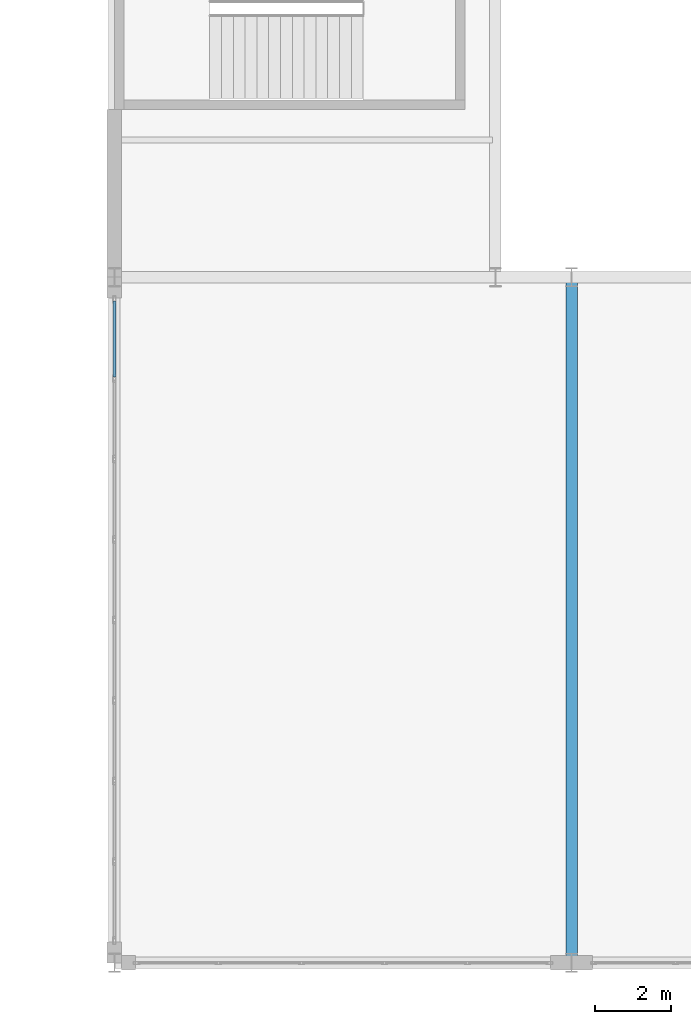
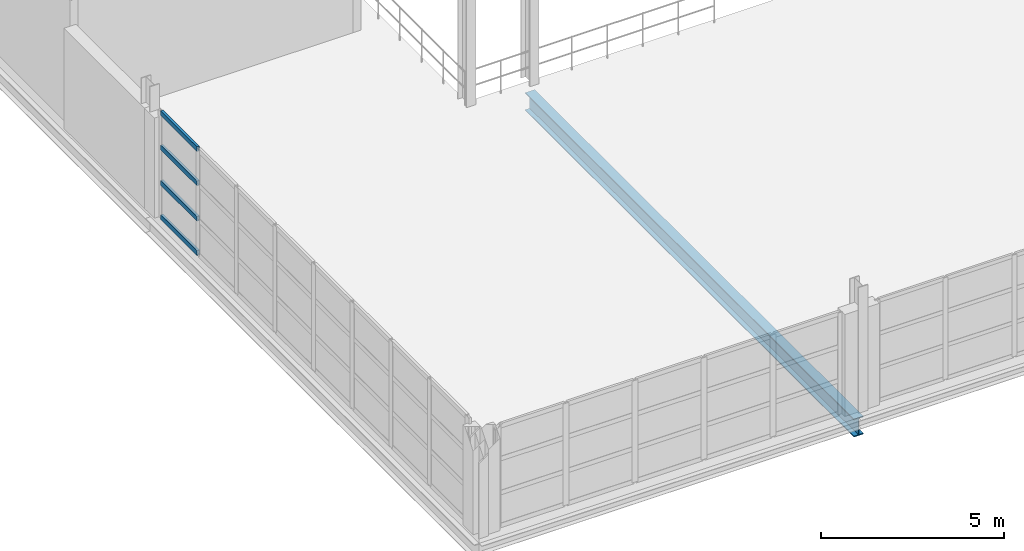
# One storey, part 26 of 158: 4 members, 1 beam, 1 element without a shape of its own.
"""IFC4 building model written with IfcOpenShell, lengths in metres."""

from ifc_helpers import new_model, si_unit, direction, frame, origin, origin_2d, place, context, subcontext, project, spatial, hollow_rectangle, i_section, extrude, material, layer, layer_set, material_profile, profile_set, type_object, element, aggregate, save


model = new_model("IFC4")

# Units and contexts
model_context = context("Model", 3, precision=1e-05, world=origin(), true_north=direction((0.0, 1.0)))
body_context = subcontext(model_context, "Body", "Model", "MODEL_VIEW")
ifc_project = project(units=[si_unit("LENGTHUNIT", "METRE"), si_unit("AREAUNIT", "SQUARE_METRE"), si_unit("VOLUMEUNIT", "CUBIC_METRE"), si_unit("PLANEANGLEUNIT", "RADIAN"), si_unit("MASSUNIT", "GRAM", prefix="KILO")], contexts=[model_context])

# Site, building, storey
site_placement = place(None, origin())
site = spatial("IfcSite", under=ifc_project, at=site_placement, CompositionType="ELEMENT")
building_placement = place(site_placement, origin())
building = spatial("IfcBuilding", under=site, at=building_placement, Name="Zilviju Railside Exhibition Hall", CompositionType="ELEMENT")
storey_placement = place(building_placement, frame((0.0, 0.0, 4.199951171875)))
storey = spatial("IfcBuildingStorey", under=building, at=storey_placement, Name="L02", CompositionType="ELEMENT", Elevation=4.199951171875)

# Beam
ifc_material_1 = material(Name="Steel S355J2", Category="steel")
ifc_material_profile_1 = material_profile(ifc_material_1, i_section(OverallWidth=0.300048828125, OverallDepth=0.60009765625, WebThickness=0.015380859375, FlangeThickness=0.030029296875, at=origin_2d()), Name="HEB 600")
ifc_profile_set_1 = profile_set([ifc_material_profile_1], Name="Steel S355J2")
beam_type = type_object("IfcBeamType", Name="BM-HEB600", PredefinedType="BEAM", material=ifc_profile_set_1)
beam_placement = place(storey_placement, frame((60.0, 0.0, -0.64990234375), z_axis=(0.0, 1.0, 0.0), x_axis=(-1.0, 0.0, 0.0)))
element("IfcBeam", 1, at=beam_placement, inside=storey, type_object=beam_type, Name="Transverse Girder L02 X=60.0 (0.0..18.0)", PredefinedType="BEAM", context=body_context, shape_type="SweptSolid", body=[
    extrude(i_section(OverallWidth=0.300048828125, OverallDepth=0.60009765625, WebThickness=0.015380859375, FlangeThickness=0.030029296875, at=origin_2d()), origin(), (0.0, 0.0, 1.0), 18.0),
])

# Curtain wall, members
ifc_material_2 = material(Name="Thermally broken aluminium-steel triple-glazed curtain wall", Category="steel")
ifc_layer = layer(ifc_material_2, 0.179931640625)
ifc_layer_set = layer_set([ifc_layer], Name="Thermally broken aluminium-steel triple-glazed curtain wall")
curtain_wall_type = type_object("IfcCurtainWallType", Name="CW-BAY-14", PredefinedType="USERDEFINED", material=ifc_layer_set)
curtain_wall_placement = place(storey_placement, origin())
curtain_wall = element("IfcCurtainWall", 2, at=curtain_wall_placement, inside=storey, type_object=curtain_wall_type, Name="Winter Concourse Forecourt Curtain Wall L02", ObjectType="GLAZED CURTAIN WALL", PredefinedType="USERDEFINED")
ifc_material_3 = material(Name="Thermally broken anodized aluminium transom", Category="aluminium")
ifc_material_profile_2 = material_profile(ifc_material_3, hollow_rectangle(XDim=0.080078125, YDim=0.159912109375, WallThickness=0.0048828125, at=origin_2d()), Name="TRANSOM 160x80x5")
ifc_profile_set_2 = profile_set([ifc_material_profile_2], Name="Thermally broken anodized aluminium transom")
member_type = type_object("IfcMemberType", Name="CWT-80x160", PredefinedType="USERDEFINED", material=ifc_profile_set_2)
member_1_placement = place(storey_placement, frame((48.0, 15.37744140625, 0.0400390625), z_axis=(0.0, 1.0, 0.0), x_axis=(-1.0, 0.0, 0.0)))
member_1 = element("IfcMember", 3, at=member_1_placement, type_object=member_type, Name="CW-14 transom 8.1", ObjectType="TRANSOM", PredefinedType="USERDEFINED", context=body_context, shape_type="SweptSolid", body=[
    extrude(hollow_rectangle(XDim=0.080078125, YDim=0.159912109375, WallThickness=0.0048828125, at=origin_2d()), origin(), (0.0, 0.0, 1.0), 1.99267578125),
])
member_2_placement = place(storey_placement, frame((48.0, 15.37744140625, 1.18310546875), z_axis=(0.0, 1.0, 0.0), x_axis=(-1.0, 0.0, 0.0)))
member_2 = element("IfcMember", 4, at=member_2_placement, type_object=member_type, Name="CW-14 transom 8.2", ObjectType="TRANSOM", PredefinedType="USERDEFINED", context=body_context, shape_type="SweptSolid", body=[
    extrude(hollow_rectangle(XDim=0.080078125, YDim=0.159912109375, WallThickness=0.0048828125, at=origin_2d()), origin(), (0.0, 0.0, 1.0), 1.99267578125),
])
member_3_placement = place(storey_placement, frame((48.0, 15.37744140625, 2.366943359375), z_axis=(0.0, 1.0, 0.0), x_axis=(-1.0, 0.0, 0.0)))
member_3 = element("IfcMember", 5, at=member_3_placement, type_object=member_type, Name="CW-14 transom 8.3", ObjectType="TRANSOM", PredefinedType="USERDEFINED", context=body_context, shape_type="SweptSolid", body=[
    extrude(hollow_rectangle(XDim=0.080078125, YDim=0.159912109375, WallThickness=0.0048828125, at=origin_2d()), origin(), (0.0, 0.0, 1.0), 1.99267578125),
])
member_4_placement = place(storey_placement, frame((48.0, 15.37744140625, 3.510009765625), z_axis=(0.0, 1.0, 0.0), x_axis=(-1.0, 0.0, 0.0)))
member_4 = element("IfcMember", 6, at=member_4_placement, type_object=member_type, Name="CW-14 transom 8.4", ObjectType="TRANSOM", PredefinedType="USERDEFINED", context=body_context, shape_type="SweptSolid", body=[
    extrude(hollow_rectangle(XDim=0.080078125, YDim=0.159912109375, WallThickness=0.0048828125, at=origin_2d()), origin(), (0.0, 0.0, 1.0), 1.99267578125),
])
aggregate(curtain_wall, [member_1, member_2, member_3, member_4])

save(model, "model.ifc")
